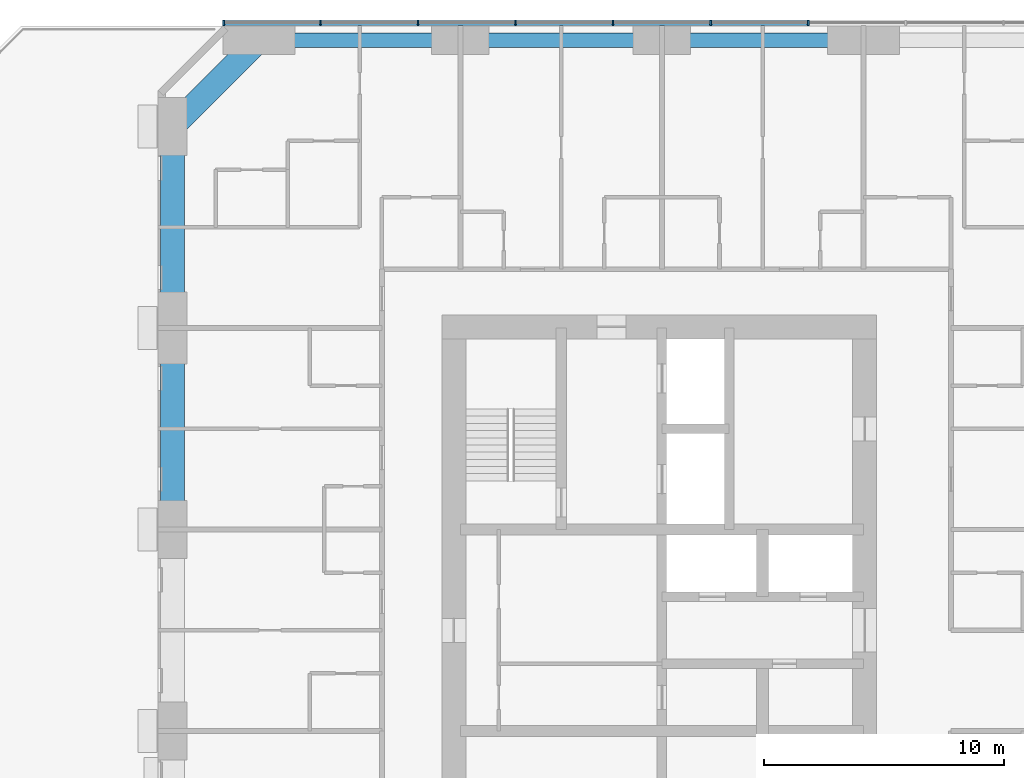
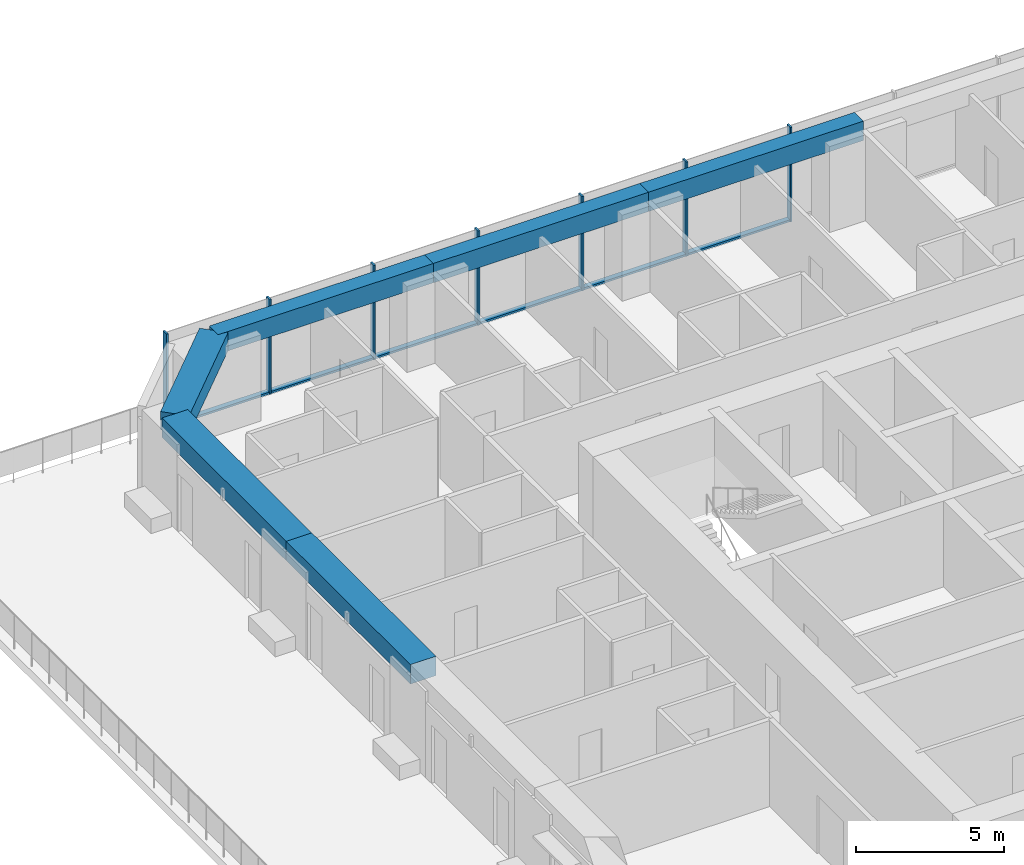
# One storey, part 4 of 13: 13 members, 6 beams, 1 element without a shape of its own.
"""IFC4 building model written with IfcOpenShell, lengths in metres."""

from ifc_helpers import new_model, si_unit, direction, frame, origin, origin_2d, place, context, subcontext, project, spatial, rectangle, extrude, material, material_profile, profile_set, type_object, element, aggregate, save


model = new_model("IFC4")

# Units and contexts
model_context = context("Model", 3, precision=1e-05, world=origin(), true_north=direction((0.0, 1.0)))
body_context = subcontext(model_context, "Body", "Model", "MODEL_VIEW")
ifc_project = project(units=[si_unit("LENGTHUNIT", "METRE"), si_unit("AREAUNIT", "SQUARE_METRE"), si_unit("VOLUMEUNIT", "CUBIC_METRE"), si_unit("PLANEANGLEUNIT", "RADIAN"), si_unit("MASSUNIT", "GRAM", prefix="KILO")], contexts=[model_context])

# Site, building, storey
site_placement = place(None, origin())
site = spatial("IfcSite", under=ifc_project, at=site_placement, CompositionType="ELEMENT")
building_placement = place(site_placement, origin())
building = spatial("IfcBuilding", under=site, at=building_placement, Name="Dunama Terrace Hotel", CompositionType="ELEMENT")
storey_placement = place(building_placement, frame((0.0, 0.0, 225.60009765625)))
storey = spatial("IfcBuildingStorey", under=building, at=storey_placement, Name="L58", CompositionType="ELEMENT", Elevation=225.60009765625)

# Curtain wall, members
ifc_material_1 = material(Name="Aluminium curtain wall system", Category="aluminium")
curtain_wall_type = type_object("IfcCurtainWallType", Name="Unitised fritted glass wall CW-D", PredefinedType="NOTDEFINED", material=ifc_material_1)
curtain_wall_placement = place(storey_placement, origin())
curtain_wall = element("IfcCurtainWall", 1, at=curtain_wall_placement, inside=storey, type_object=curtain_wall_type, Name="Unitised fritted glass wall CW-D L58", PredefinedType="NOTDEFINED")
ifc_material_2 = material(Name="Aluminium mullion", Category="aluminium")
ifc_material_profile_1 = material_profile(ifc_material_2, rectangle(XDim=0.070068359375, YDim=0.239990234375, at=origin_2d()), Name="CWD MULLION 70X240")
ifc_profile_set_1 = profile_set([ifc_material_profile_1], Name="Aluminium mullion")
member_type_1 = type_object("IfcMemberType", Name="CWD mullion 70x240", PredefinedType="MULLION", material=ifc_profile_set_1)
member_1_placement = place(storey_placement, frame((39.699951171875, 54.719970703125, 0.0), z_axis=(0.0, 0.0, 1.0), x_axis=(-1.0, 0.0, 0.0)))
member_1 = element("IfcMember", 2, at=member_1_placement, type_object=member_type_1, Name="CWD mullion", PredefinedType="MULLION", context=body_context, shape_type="SweptSolid", body=[
    extrude(rectangle(XDim=0.070068359375, YDim=0.239990234375, at=origin_2d()), origin(), (0.0, 0.0, 1.0), 3.89990234375),
])
member_2_placement = place(storey_placement, frame((35.633056640625, 54.719970703125, 0.0), z_axis=(0.0, 0.0, 1.0), x_axis=(-1.0, 0.0, 0.0)))
member_2 = element("IfcMember", 3, at=member_2_placement, type_object=member_type_1, Name="CWD mullion", PredefinedType="MULLION", context=body_context, shape_type="SweptSolid", body=[
    extrude(rectangle(XDim=0.070068359375, YDim=0.239990234375, at=origin_2d()), origin(), (0.0, 0.0, 1.0), 3.89990234375),
])
member_3_placement = place(storey_placement, frame((31.56689453125, 54.719970703125, 0.0), z_axis=(0.0, 0.0, 1.0), x_axis=(-1.0, 0.0, 0.0)))
member_3 = element("IfcMember", 4, at=member_3_placement, type_object=member_type_1, Name="CWD mullion", PredefinedType="MULLION", context=body_context, shape_type="SweptSolid", body=[
    extrude(rectangle(XDim=0.070068359375, YDim=0.239990234375, at=origin_2d()), origin(), (0.0, 0.0, 1.0), 3.89990234375),
])
member_4_placement = place(storey_placement, frame((27.5, 54.719970703125, 0.0), z_axis=(0.0, 0.0, 1.0), x_axis=(-1.0, 0.0, 0.0)))
member_4 = element("IfcMember", 5, at=member_4_placement, type_object=member_type_1, Name="CWD mullion", PredefinedType="MULLION", context=body_context, shape_type="SweptSolid", body=[
    extrude(rectangle(XDim=0.070068359375, YDim=0.239990234375, at=origin_2d()), origin(), (0.0, 0.0, 1.0), 3.89990234375),
])
member_5_placement = place(storey_placement, frame((23.43310546875, 54.719970703125, 0.0), z_axis=(0.0, 0.0, 1.0), x_axis=(-1.0, 0.0, 0.0)))
member_5 = element("IfcMember", 6, at=member_5_placement, type_object=member_type_1, Name="CWD mullion", PredefinedType="MULLION", context=body_context, shape_type="SweptSolid", body=[
    extrude(rectangle(XDim=0.070068359375, YDim=0.239990234375, at=origin_2d()), origin(), (0.0, 0.0, 1.0), 3.89990234375),
])
member_6_placement = place(storey_placement, frame((19.366943359375, 54.719970703125, 0.0), z_axis=(0.0, 0.0, 1.0), x_axis=(-1.0, 0.0, 0.0)))
member_6 = element("IfcMember", 7, at=member_6_placement, type_object=member_type_1, Name="CWD mullion", PredefinedType="MULLION", context=body_context, shape_type="SweptSolid", body=[
    extrude(rectangle(XDim=0.070068359375, YDim=0.239990234375, at=origin_2d()), origin(), (0.0, 0.0, 1.0), 3.89990234375),
])
member_7_placement = place(storey_placement, frame((15.3349609375, 54.719970703125, 0.0), z_axis=(0.0, 0.0, 1.0), x_axis=(-1.0, 0.0, 0.0)))
member_7 = element("IfcMember", 8, at=member_7_placement, type_object=member_type_1, Name="CWD mullion", PredefinedType="MULLION", context=body_context, shape_type="SweptSolid", body=[
    extrude(rectangle(XDim=0.070068359375, YDim=0.239990234375, at=origin_2d()), origin(), (0.0, 0.0, 1.0), 3.89990234375),
])
ifc_material_3 = material(Name="Aluminium transom", Category="aluminium")
ifc_material_profile_2 = material_profile(ifc_material_3, rectangle(XDim=0.199951171875, YDim=0.0849609375, at=origin_2d()), Name="CWD TRANSOM 200X85")
ifc_profile_set_2 = profile_set([ifc_material_profile_2], Name="Aluminium transom")
member_type_2 = type_object("IfcMemberType", Name="CWD transom 200x85", PredefinedType="USERDEFINED", material=ifc_profile_set_2)
member_8_placement = place(storey_placement, frame((39.6650390625, 54.719970703125, 0.04248046875), z_axis=(-1.0, 0.0, 0.0), x_axis=(0.0, -1.0, 0.0)))
member_8 = element("IfcMember", 9, at=member_8_placement, type_object=member_type_2, Name="CWD transom", ObjectType="TRANSOM", PredefinedType="USERDEFINED", context=body_context, shape_type="SweptSolid", body=[
    extrude(rectangle(XDim=0.199951171875, YDim=0.0849609375, at=origin_2d()), origin(), (0.0, 0.0, 1.0), 3.9970703125),
])
member_9_placement = place(storey_placement, frame((35.597900390625, 54.719970703125, 0.04248046875), z_axis=(-1.0, 0.0, 0.0), x_axis=(0.0, -1.0, 0.0)))
member_9 = element("IfcMember", 10, at=member_9_placement, type_object=member_type_2, Name="CWD transom", ObjectType="TRANSOM", PredefinedType="USERDEFINED", context=body_context, shape_type="SweptSolid", body=[
    extrude(rectangle(XDim=0.199951171875, YDim=0.0849609375, at=origin_2d()), origin(), (0.0, 0.0, 1.0), 3.995849609375),
])
member_10_placement = place(storey_placement, frame((31.531982421875, 54.719970703125, 0.04248046875), z_axis=(-1.0, 0.0, 0.0), x_axis=(0.0, -1.0, 0.0)))
member_10 = element("IfcMember", 11, at=member_10_placement, type_object=member_type_2, Name="CWD transom", ObjectType="TRANSOM", PredefinedType="USERDEFINED", context=body_context, shape_type="SweptSolid", body=[
    extrude(rectangle(XDim=0.199951171875, YDim=0.0849609375, at=origin_2d()), origin(), (0.0, 0.0, 1.0), 3.9970703125),
])
member_11_placement = place(storey_placement, frame((27.465087890625, 54.719970703125, 0.04248046875), z_axis=(-1.0, 0.0, 0.0), x_axis=(0.0, -1.0, 0.0)))
member_11 = element("IfcMember", 12, at=member_11_placement, type_object=member_type_2, Name="CWD transom", ObjectType="TRANSOM", PredefinedType="USERDEFINED", context=body_context, shape_type="SweptSolid", body=[
    extrude(rectangle(XDim=0.199951171875, YDim=0.0849609375, at=origin_2d()), origin(), (0.0, 0.0, 1.0), 3.9970703125),
])
member_12_placement = place(storey_placement, frame((23.39794921875, 54.719970703125, 0.04248046875), z_axis=(-1.0, 0.0, 0.0), x_axis=(0.0, -1.0, 0.0)))
member_12 = element("IfcMember", 13, at=member_12_placement, type_object=member_type_2, Name="CWD transom", ObjectType="TRANSOM", PredefinedType="USERDEFINED", context=body_context, shape_type="SweptSolid", body=[
    extrude(rectangle(XDim=0.199951171875, YDim=0.0849609375, at=origin_2d()), origin(), (0.0, 0.0, 1.0), 3.995849609375),
])
member_13_placement = place(storey_placement, frame((19.33203125, 54.719970703125, 0.04248046875), z_axis=(-1.0, 0.0, 0.0), x_axis=(0.0, -1.0, 0.0)))
member_13 = element("IfcMember", 14, at=member_13_placement, type_object=member_type_2, Name="CWD transom", ObjectType="TRANSOM", PredefinedType="USERDEFINED", context=body_context, shape_type="SweptSolid", body=[
    extrude(rectangle(XDim=0.199951171875, YDim=0.0849609375, at=origin_2d()), origin(), (0.0, 0.0, 1.0), 3.9619140625),
])
aggregate(curtain_wall, [member_1, member_2, member_3, member_4, member_5, member_6, member_7, member_8, member_9, member_10, member_11, member_12, member_13])

# Beams
ifc_material_4 = material(Name="Concrete C50/60", Category="concrete")
ifc_material_profile_3 = material_profile(ifc_material_4, rectangle(XDim=1.0, YDim=0.75, at=origin_2d()), Name="RC 1000x750")
ifc_profile_set_3 = profile_set([ifc_material_profile_3], Name="Concrete C50/60")
beam_type_1 = type_object("IfcBeamType", Name="Edge beam RC 1000x750", PredefinedType="SPANDREL", material=ifc_profile_set_3)
beam_1_placement = place(storey_placement, frame((16.800048828125, 54.0, 3.52490234375), z_axis=(-0.707106781187, -0.707106781187, 0.0), x_axis=(0.707106781187, -0.707106781187, 0.0)))
element("IfcBeam", 15, at=beam_1_placement, inside=storey, type_object=beam_type_1, Name="Corner edge beam under L59", PredefinedType="SPANDREL", context=body_context, shape_type="SweptSolid", body=[
    extrude(rectangle(XDim=1.0, YDim=0.75, at=origin_2d()), origin(), (0.0, 0.0, 1.0), 5.09130859375),
])
ifc_material_5 = material(Name="Concrete C40/50", Category="concrete")
ifc_material_profile_4 = material_profile(ifc_material_5, rectangle(XDim=1.0, YDim=0.800048828125, at=origin_2d()), Name="RC 1000x800")
ifc_profile_set_4 = profile_set([ifc_material_profile_4], Name="Concrete C40/50")
beam_type_2 = type_object("IfcBeamType", Name="Edge beam RC 1000x800", PredefinedType="SPANDREL", material=ifc_profile_set_4)
for number, where, z_axis, x_axis, name in (
    (16, (13.199951171875, 33.60009765625, 3.5), (0.0, 1.0, 0.0), (-1.0, 0.0, 0.0), "Edge beam under L59"),
    (17, (13.199951171875, 42.0, 3.5), (0.0, 1.0, 0.0), (-1.0, 0.0, 0.0), "Edge beam under L59"),
):
    element("IfcBeam", number, at=place(storey_placement, frame(where, z_axis=z_axis, x_axis=x_axis)), inside=storey, type_object=beam_type_2, Name=name, PredefinedType="SPANDREL", context=body_context, shape_type="SweptSolid", body=[
        extrude(rectangle(XDim=1.0, YDim=0.800048828125, at=origin_2d()), origin(), (0.0, 0.0, 1.0), 8.39990234375),
    ])
ifc_material_6 = material(Name="Concrete C40/50", Category="concrete")
ifc_material_profile_5 = material_profile(ifc_material_6, rectangle(XDim=0.60009765625, YDim=0.800048828125, at=origin_2d()), Name="RC 600x800")
ifc_profile_set_5 = profile_set([ifc_material_profile_5], Name="Concrete C40/50")
beam_type_3 = type_object("IfcBeamType", Name="Edge beam RC 600x800", PredefinedType="SPANDREL", material=ifc_profile_set_5)
beam_2_placement = place(storey_placement, frame((16.800048828125, 54.0, 3.5), z_axis=(1.0, 0.0, 0.0), x_axis=(0.0, 1.0, 0.0)))
element("IfcBeam", 18, at=beam_2_placement, inside=storey, type_object=beam_type_3, Name="Edge beam under L59", PredefinedType="SPANDREL", context=body_context, shape_type="SweptSolid", body=[
    extrude(rectangle(XDim=0.60009765625, YDim=0.800048828125, at=origin_2d()), origin(), (0.0, 0.0, 1.0), 8.39990234375),
])
beam_3_placement = place(storey_placement, frame((25.199951171875, 54.0, 3.5), z_axis=(1.0, 0.0, 0.0), x_axis=(0.0, 1.0, 0.0)))
element("IfcBeam", 19, at=beam_3_placement, inside=storey, type_object=beam_type_3, Name="Edge beam under L59", PredefinedType="SPANDREL", context=body_context, shape_type="SweptSolid", body=[
    extrude(rectangle(XDim=0.60009765625, YDim=0.800048828125, at=origin_2d()), origin(), (0.0, 0.0, 1.0), 8.400146484375),
])
beam_4_placement = place(storey_placement, frame((33.60009765625, 54.0, 3.5), z_axis=(1.0, 0.0, 0.0), x_axis=(0.0, 1.0, 0.0)))
element("IfcBeam", 20, at=beam_4_placement, inside=storey, type_object=beam_type_3, Name="Edge beam under L59", PredefinedType="SPANDREL", context=body_context, shape_type="SweptSolid", body=[
    extrude(rectangle(XDim=0.60009765625, YDim=0.800048828125, at=origin_2d()), origin(), (0.0, 0.0, 1.0), 8.39990234375),
])

save(model, "model.ifc")
